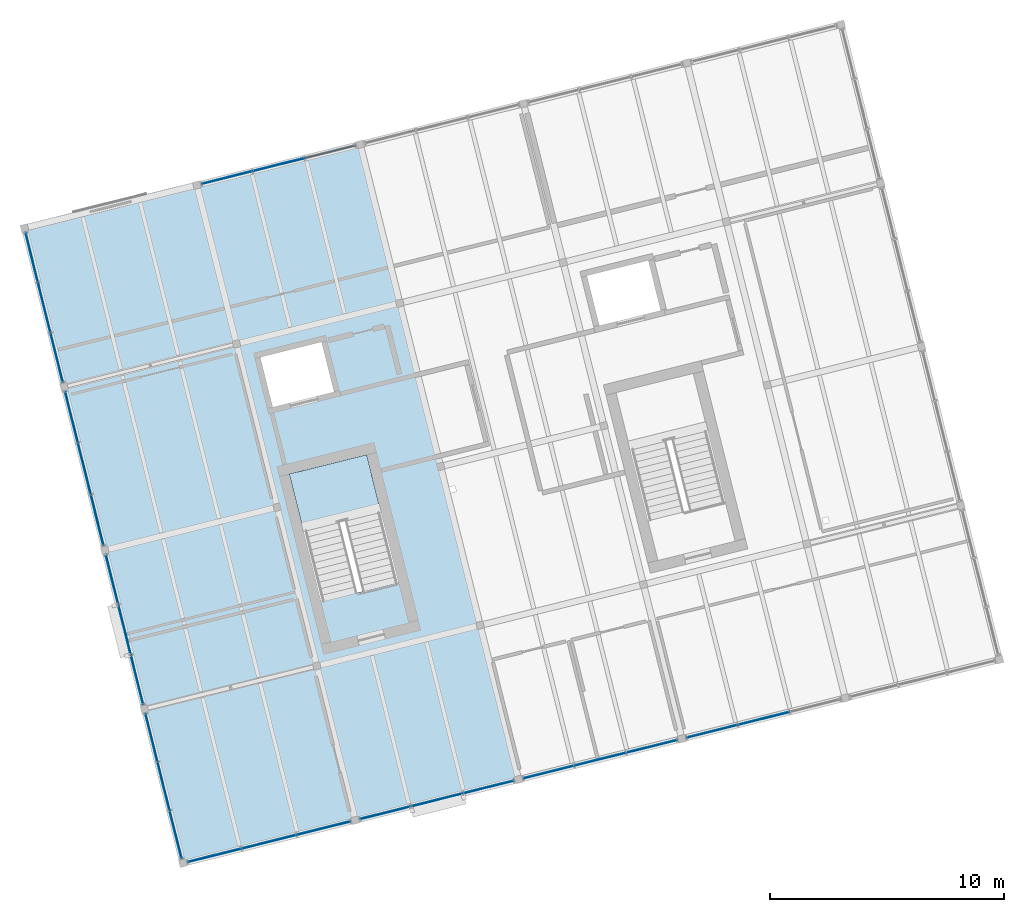
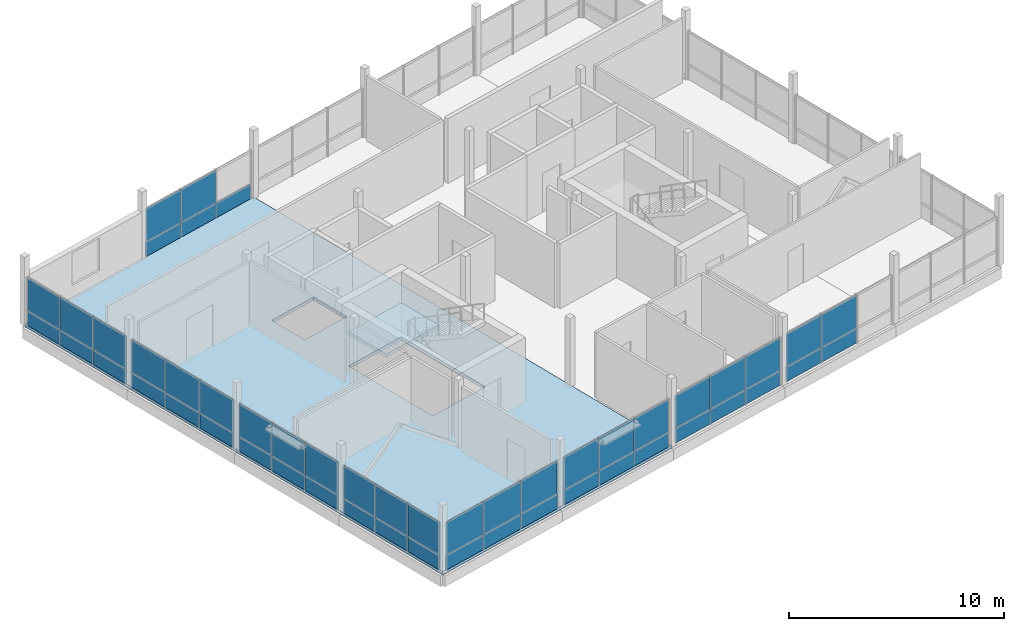
# One storey, part 21 of 25: 51 plates, 2 slabs, 10 elements without a shape of their own.
"""IFC4 building model written with IfcOpenShell, lengths in metres."""

from ifc_helpers import new_model, si_unit, direction, frame, origin, origin_2d, place, context, subcontext, project, spatial, polyline, rectangle, outline, extrude, material, layer, layer_set, type_object, element, aggregate, save


model = new_model("IFC4")

# Units and contexts
model_context = context("Model", 3, precision=1e-05, world=origin(), true_north=direction((0.0, 1.0)))
body_context = subcontext(model_context, "Body", "Model", "MODEL_VIEW")
ifc_project = project(units=[si_unit("LENGTHUNIT", "METRE"), si_unit("AREAUNIT", "SQUARE_METRE"), si_unit("VOLUMEUNIT", "CUBIC_METRE"), si_unit("PLANEANGLEUNIT", "RADIAN"), si_unit("MASSUNIT", "GRAM", prefix="KILO")], contexts=[model_context])

# Site, building, storey
site_placement = place(None, origin())
site = spatial("IfcSite", under=ifc_project, at=site_placement, CompositionType="ELEMENT")
building_placement = place(site_placement, origin())
building = spatial("IfcBuilding", under=site, at=building_placement, Name="Meriwether Solvik Hall", CompositionType="ELEMENT")
storey_placement = place(building_placement, frame((0.0, 0.0, 53.39990234375)))
storey = spatial("IfcBuildingStorey", under=building, at=storey_placement, Name="L13", CompositionType="ELEMENT", Elevation=53.39990234375)

# Curtain wall, plates
ifc_material_1 = material(Name="Thermally Broken Anodised Aluminium 6063-T6 and Low-E Glass", Category="aluminium")
ifc_layer_1 = layer(ifc_material_1, 0.179931640625)
ifc_layer_set_1 = layer_set([ifc_layer_1], Name="Thermally Broken Anodised Aluminium 6063-T6 and Low-E Glass")
curtain_wall_type_1 = type_object("IfcCurtainWallType", Name="CW-UNIT-E", PredefinedType="USERDEFINED", material=ifc_layer_set_1)
curtain_wall_1_placement = place(storey_placement, origin())
curtain_wall_1 = element("IfcCurtainWall", 1, at=curtain_wall_1_placement, inside=storey, type_object=curtain_wall_type_1, Name="Curtain Wall E0_B1 (L13)", ObjectType="UNITISED CURTAIN WALL", PredefinedType="USERDEFINED")
ifc_material_2 = material(Name="Low-Emissivity Double-Glazed Laminated Glass", Category="glass")
ifc_layer_2 = layer(ifc_material_2, 0.031982421875)
ifc_layer_set_2 = layer_set([ifc_layer_2], Name="Low-Emissivity Double-Glazed Laminated Glass")
plate_type_1 = type_object("IfcPlateType", Name="PLT-GLZ-180X185", PredefinedType="CURTAIN_PANEL", material=ifc_layer_set_2)
plate_1_placement = place(storey_placement, frame((81.66796875, 44.458251953125, 0.8310546875), z_axis=(0.0, 0.0, 1.0), x_axis=(-0.970295730764, -0.241921877598, 0.0)))
plate_1 = element("IfcPlate", 2, at=plate_1_placement, type_object=plate_type_1, Name="Low-E Vision Glazing Panel 1", PredefinedType="CURTAIN_PANEL", context=body_context, shape_type="SweptSolid", body=[
    extrude(rectangle(XDim=2.240966796875, YDim=0.033935546875, at=origin_2d()), origin(), (0.0, 0.0, 1.0), 1.87890625),
])
plate_2_placement = place(storey_placement, frame((79.46728515625, 43.909423828125, 0.8310546875), z_axis=(0.0, 0.0, 1.0), x_axis=(-0.970295730764, -0.241921877598, 0.0)))
plate_2 = element("IfcPlate", 3, at=plate_2_placement, type_object=plate_type_1, Name="Low-E Vision Glazing Panel 2", PredefinedType="CURTAIN_PANEL", context=body_context, shape_type="SweptSolid", body=[
    extrude(rectangle(XDim=2.279052734375, YDim=0.033935546875, at=origin_2d()), origin(), (0.0, 0.0, 1.0), 1.87890625),
])
plate_3_placement = place(storey_placement, frame((77.2666015625, 43.36083984375, 0.8310546875), z_axis=(0.0, 0.0, 1.0), x_axis=(-0.970295730764, -0.241921877598, 0.0)))
plate_3 = element("IfcPlate", 4, at=plate_3_placement, type_object=plate_type_1, Name="Low-E Vision Glazing Panel 3", PredefinedType="CURTAIN_PANEL", context=body_context, shape_type="SweptSolid", body=[
    extrude(rectangle(XDim=2.240966796875, YDim=0.033935546875, at=origin_2d()), origin(), (0.0, 0.0, 1.0), 1.87890625),
])

ifc_material_3 = material(Name="Thermally Broken Anodised Aluminium 6063-T6 and Low-E Glass", Category="aluminium")
ifc_layer_3 = layer(ifc_material_3, 0.179931640625)
ifc_layer_set_3 = layer_set([ifc_layer_3], Name="Thermally Broken Anodised Aluminium 6063-T6 and Low-E Glass")
curtain_wall_type_2 = type_object("IfcCurtainWallType", Name="CW-UNIT-G", PredefinedType="USERDEFINED", material=ifc_layer_set_3)
curtain_wall_2_placement = place(storey_placement, origin())
curtain_wall_2 = element("IfcCurtainWall", 5, at=curtain_wall_2_placement, inside=storey, type_object=curtain_wall_type_2, Name="Curtain Wall E2_B1 (L13)", ObjectType="UNITISED CURTAIN WALL", PredefinedType="USERDEFINED")
plate_4_placement = place(storey_placement, frame((70.492919921875, 70.529052734375, 0.8310546875), z_axis=(0.0, 0.0, 1.0), x_axis=(0.970295730764, 0.241921877598, 0.0)))
plate_4 = element("IfcPlate", 6, at=plate_4_placement, type_object=plate_type_1, Name="Low-E Vision Glazing Panel 1", PredefinedType="CURTAIN_PANEL", context=body_context, shape_type="SweptSolid", body=[
    extrude(rectangle(XDim=2.240966796875, YDim=0.033935546875, at=origin_2d()), origin(), (0.0, 0.0, 1.0), 1.87890625),
])
plate_5_placement = place(storey_placement, frame((72.693603515625, 71.077880859375, 0.8310546875), z_axis=(0.0, 0.0, 1.0), x_axis=(0.970295730764, 0.241921877598, 0.0)))
plate_5 = element("IfcPlate", 7, at=plate_5_placement, type_object=plate_type_1, Name="Low-E Vision Glazing Panel 2", PredefinedType="CURTAIN_PANEL", context=body_context, shape_type="SweptSolid", body=[
    extrude(rectangle(XDim=2.279052734375, YDim=0.033935546875, at=origin_2d()), origin(), (0.0, 0.0, 1.0), 1.87890625),
])

ifc_material_4 = material(Name="Thermally Broken Anodised Aluminium 6063-T6 and Low-E Glass", Category="aluminium")
ifc_layer_4 = layer(ifc_material_4, 0.179931640625)
ifc_layer_set_4 = layer_set([ifc_layer_4], Name="Thermally Broken Anodised Aluminium 6063-T6 and Low-E Glass")
curtain_wall_type_3 = type_object("IfcCurtainWallType", Name="CW-UNIT-A", PredefinedType="USERDEFINED", material=ifc_layer_set_4)
curtain_wall_3_placement = place(storey_placement, origin())
curtain_wall_3 = element("IfcCurtainWall", 8, at=curtain_wall_3_placement, inside=storey, type_object=curtain_wall_type_3, Name="Curtain Wall E3_B1 (L13)", ObjectType="UNITISED CURTAIN WALL", PredefinedType="USERDEFINED")
plate_6_placement = place(storey_placement, frame((66.640869140625, 49.05810546875, 0.8310546875), z_axis=(0.0, 0.0, 1.0), x_axis=(-0.241921784185, 0.970295754055, 0.0)))
plate_6 = element("IfcPlate", 9, at=plate_6_placement, type_object=plate_type_1, Name="Low-E Vision Glazing Panel 1", PredefinedType="CURTAIN_PANEL", context=body_context, shape_type="SweptSolid", body=[
    extrude(rectangle(XDim=2.17431640625, YDim=0.033935546875, at=origin_2d()), origin(), (0.0, 0.0, 1.0), 1.87890625),
])
plate_7_placement = place(storey_placement, frame((66.108154296875, 51.194091796875, 0.8310546875), z_axis=(0.0, 0.0, 1.0), x_axis=(-0.241921784185, 0.970295754055, 0.0)))
plate_7 = element("IfcPlate", 10, at=plate_7_placement, type_object=plate_type_1, Name="Low-E Vision Glazing Panel 2", PredefinedType="CURTAIN_PANEL", context=body_context, shape_type="SweptSolid", body=[
    extrude(rectangle(XDim=2.21240234375, YDim=0.033935546875, at=origin_2d()), origin(), (0.0, 0.0, 1.0), 1.87890625),
])
plate_8_placement = place(storey_placement, frame((65.57568359375, 53.330078125, 0.8310546875), z_axis=(0.0, 0.0, 1.0), x_axis=(-0.241921784185, 0.970295754055, 0.0)))
plate_8 = element("IfcPlate", 11, at=plate_8_placement, type_object=plate_type_1, Name="Low-E Vision Glazing Panel 3", PredefinedType="CURTAIN_PANEL", context=body_context, shape_type="SweptSolid", body=[
    extrude(rectangle(XDim=2.17431640625, YDim=0.033935546875, at=origin_2d()), origin(), (0.0, 0.0, 1.0), 1.87890625),
])

ifc_material_5 = material(Name="Thermally Broken Anodised Aluminium 6063-T6 and Low-E Glass", Category="aluminium")
ifc_layer_5 = layer(ifc_material_5, 0.179931640625)
ifc_layer_set_5 = layer_set([ifc_layer_5], Name="Thermally Broken Anodised Aluminium 6063-T6 and Low-E Glass")
curtain_wall_type_4 = type_object("IfcCurtainWallType", Name="CW-UNIT-D", PredefinedType="USERDEFINED", material=ifc_layer_set_5)
curtain_wall_4_placement = place(storey_placement, origin())
curtain_wall_4 = element("IfcCurtainWall", 12, at=curtain_wall_4_placement, inside=storey, type_object=curtain_wall_type_4, Name="Curtain Wall E0_B0 (L13)", ObjectType="UNITISED CURTAIN WALL", PredefinedType="USERDEFINED")
ifc_material_6 = material(Name="Low-Emissivity Double-Glazed Laminated Glass", Category="glass")
ifc_layer_6 = layer(ifc_material_6, 0.031982421875)
ifc_layer_set_6 = layer_set([ifc_layer_6], Name="Low-Emissivity Double-Glazed Laminated Glass")
plate_type_2 = type_object("IfcPlateType", Name="PLT-GLZ-195X185", PredefinedType="CURTAIN_PANEL", material=ifc_layer_set_6)
plate_9_placement = place(storey_placement, frame((74.6171875, 42.7001953125, 0.8310546875), z_axis=(0.0, 0.0, 1.0), x_axis=(-0.970295720361, -0.241921919325, 0.0)))
plate_9 = element("IfcPlate", 13, at=plate_9_placement, type_object=plate_type_2, Name="Low-E Vision Glazing Panel 1", PredefinedType="CURTAIN_PANEL", context=body_context, shape_type="SweptSolid", body=[
    extrude(rectangle(XDim=2.374267578125, YDim=0.033935546875, at=origin_2d()), origin(), (0.0, 0.0, 1.0), 1.87890625),
])
plate_10_placement = place(storey_placement, frame((72.287109375, 42.119384765625, 0.8310546875), z_axis=(0.0, 0.0, 1.0), x_axis=(-0.970295720361, -0.241921919325, 0.0)))
plate_10 = element("IfcPlate", 14, at=plate_10_placement, type_object=plate_type_2, Name="Low-E Vision Glazing Panel 2", PredefinedType="CURTAIN_PANEL", context=body_context, shape_type="SweptSolid", body=[
    extrude(rectangle(XDim=2.412353515625, YDim=0.033935546875, at=origin_2d()), origin(), (0.0, 0.0, 1.0), 1.87890625),
])
plate_11_placement = place(storey_placement, frame((69.95703125, 41.538330078125, 0.8310546875), z_axis=(0.0, 0.0, 1.0), x_axis=(-0.970295720361, -0.241921919325, 0.0)))
plate_11 = element("IfcPlate", 15, at=plate_11_placement, type_object=plate_type_2, Name="Low-E Vision Glazing Panel 3", PredefinedType="CURTAIN_PANEL", context=body_context, shape_type="SweptSolid", body=[
    extrude(rectangle(XDim=2.374267578125, YDim=0.033935546875, at=origin_2d()), origin(), (0.0, 0.0, 1.0), 1.87890625),
])

curtain_wall_5_placement = place(storey_placement, origin())
curtain_wall_5 = element("IfcCurtainWall", 16, at=curtain_wall_5_placement, inside=storey, type_object=curtain_wall_type_2, Name="Curtain Wall E3_B0 (L13)", ObjectType="UNITISED CURTAIN WALL", PredefinedType="USERDEFINED")
plate_12_placement = place(storey_placement, frame((68.2939453125, 42.427734375, 0.8310546875), z_axis=(0.0, 0.0, 1.0), x_axis=(-0.241921830705, 0.970295742456, 0.0)))
plate_12 = element("IfcPlate", 17, at=plate_12_placement, type_object=plate_type_2, Name="Low-E Vision Glazing Panel 1", PredefinedType="CURTAIN_PANEL", context=body_context, shape_type="SweptSolid", body=[
    extrude(rectangle(XDim=2.107666015625, YDim=0.033935546875, at=origin_2d()), origin(), (0.0, 0.0, 1.0), 1.87890625),
])
plate_13_placement = place(storey_placement, frame((67.777587890625, 44.4990234375, 0.8310546875), z_axis=(0.0, 0.0, 1.0), x_axis=(-0.241921830705, 0.970295742456, 0.0)))
plate_13 = element("IfcPlate", 18, at=plate_13_placement, type_object=plate_type_2, Name="Low-E Vision Glazing Panel 2", PredefinedType="CURTAIN_PANEL", context=body_context, shape_type="SweptSolid", body=[
    extrude(rectangle(XDim=2.145751953125, YDim=0.033935546875, at=origin_2d()), origin(), (0.0, 0.0, 1.0), 1.87890625),
])
plate_14_placement = place(storey_placement, frame((67.260986328125, 46.5703125, 0.8310546875), z_axis=(0.0, 0.0, 1.0), x_axis=(-0.241921830705, 0.970295742456, 0.0)))
plate_14 = element("IfcPlate", 19, at=plate_14_placement, type_object=plate_type_2, Name="Low-E Vision Glazing Panel 3", PredefinedType="CURTAIN_PANEL", context=body_context, shape_type="SweptSolid", body=[
    extrude(rectangle(XDim=2.107666015625, YDim=0.033935546875, at=origin_2d()), origin(), (0.0, 0.0, 1.0), 1.87890625),
])

curtain_wall_6_placement = place(storey_placement, origin())
curtain_wall_6 = element("IfcCurtainWall", 20, at=curtain_wall_6_placement, inside=storey, type_object=curtain_wall_type_2, Name="Curtain Wall E0_B3 (L13)", ObjectType="UNITISED CURTAIN WALL", PredefinedType="USERDEFINED")
ifc_material_7 = material(Name="Low-Emissivity Double-Glazed Laminated Glass", Category="glass")
ifc_layer_7 = layer(ifc_material_7, 0.031982421875)
ifc_layer_set_7 = layer_set([ifc_layer_7], Name="Low-Emissivity Double-Glazed Laminated Glass")
plate_type_3 = type_object("IfcPlateType", Name="PLT-GLZ-210X195", PredefinedType="CURTAIN_PANEL", material=ifc_layer_set_7)
plate_15_placement = place(storey_placement, frame((93.439453125, 47.393310546875, 0.8310546875), z_axis=(0.0, 0.0, 1.0), x_axis=(-0.970295696551, -0.241922014821, 0.0)))
plate_15 = element("IfcPlate", 21, at=plate_15_placement, type_object=plate_type_3, Name="Low-E Vision Glazing Panel 2", PredefinedType="CURTAIN_PANEL", context=body_context, shape_type="SweptSolid", body=[
    extrude(rectangle(XDim=2.279052734375, YDim=0.033935546875, at=origin_2d()), origin(), (0.0, 0.0, 1.0), 1.87890625),
])
plate_16_placement = place(storey_placement, frame((91.239013671875, 46.844482421875, 0.8310546875), z_axis=(0.0, 0.0, 1.0), x_axis=(-0.970295696551, -0.241922014821, 0.0)))
plate_16 = element("IfcPlate", 22, at=plate_16_placement, type_object=plate_type_3, Name="Low-E Vision Glazing Panel 3", PredefinedType="CURTAIN_PANEL", context=body_context, shape_type="SweptSolid", body=[
    extrude(rectangle(XDim=2.240966796875, YDim=0.033935546875, at=origin_2d()), origin(), (0.0, 0.0, 1.0), 1.87890625),
])

ifc_material_8 = material(Name="Thermally Broken Anodised Aluminium 6063-T6 and Low-E Glass", Category="aluminium")
ifc_layer_8 = layer(ifc_material_8, 0.179931640625)
ifc_layer_set_8 = layer_set([ifc_layer_8], Name="Thermally Broken Anodised Aluminium 6063-T6 and Low-E Glass")
curtain_wall_type_5 = type_object("IfcCurtainWallType", Name="CW-UNIT-C", PredefinedType="USERDEFINED", material=ifc_layer_set_8)
curtain_wall_7_placement = place(storey_placement, origin())
curtain_wall_7 = element("IfcCurtainWall", 23, at=curtain_wall_7_placement, inside=storey, type_object=curtain_wall_type_5, Name="Curtain Wall E3_B3 (L13)", ObjectType="UNITISED CURTAIN WALL", PredefinedType="USERDEFINED")
plate_17_placement = place(storey_placement, frame((63.20556640625, 62.836181640625, 0.8310546875), z_axis=(0.0, 0.0, 1.0), x_axis=(-0.241921784185, 0.970295754055, 0.0)))
plate_17 = element("IfcPlate", 24, at=plate_17_placement, type_object=plate_type_3, Name="Low-E Vision Glazing Panel 1", PredefinedType="CURTAIN_PANEL", context=body_context, shape_type="SweptSolid", body=[
    extrude(rectangle(XDim=2.17431640625, YDim=0.033935546875, at=origin_2d()), origin(), (0.0, 0.0, 1.0), 1.87890625),
])
plate_18_placement = place(storey_placement, frame((62.6728515625, 64.97216796875, 0.8310546875), z_axis=(0.0, 0.0, 1.0), x_axis=(-0.241921784185, 0.970295754055, 0.0)))
plate_18 = element("IfcPlate", 25, at=plate_18_placement, type_object=plate_type_3, Name="Low-E Vision Glazing Panel 2", PredefinedType="CURTAIN_PANEL", context=body_context, shape_type="SweptSolid", body=[
    extrude(rectangle(XDim=2.21240234375, YDim=0.033935546875, at=origin_2d()), origin(), (0.0, 0.0, 1.0), 1.87890625),
])
plate_19_placement = place(storey_placement, frame((62.140380859375, 67.108154296875, 0.8310546875), z_axis=(0.0, 0.0, 1.0), x_axis=(-0.241921784185, 0.970295754055, 0.0)))
plate_19 = element("IfcPlate", 26, at=plate_19_placement, type_object=plate_type_3, Name="Low-E Vision Glazing Panel 3", PredefinedType="CURTAIN_PANEL", context=body_context, shape_type="SweptSolid", body=[
    extrude(rectangle(XDim=2.17431640625, YDim=0.033935546875, at=origin_2d()), origin(), (0.0, 0.0, 1.0), 1.87890625),
])

ifc_material_9 = material(Name="Thermally Broken Anodised Aluminium 6063-T6 and Low-E Glass", Category="aluminium")
ifc_layer_9 = layer(ifc_material_9, 0.179931640625)
ifc_layer_set_9 = layer_set([ifc_layer_9], Name="Thermally Broken Anodised Aluminium 6063-T6 and Low-E Glass")
curtain_wall_type_6 = type_object("IfcCurtainWallType", Name="CW-UNIT-F", PredefinedType="USERDEFINED", material=ifc_layer_set_9)
curtain_wall_8_placement = place(storey_placement, origin())
curtain_wall_8 = element("IfcCurtainWall", 27, at=curtain_wall_8_placement, inside=storey, type_object=curtain_wall_type_6, Name="Curtain Wall E0_B2 (L13)", ObjectType="UNITISED CURTAIN WALL", PredefinedType="USERDEFINED")
ifc_material_10 = material(Name="Low-Emissivity Double-Glazed Laminated Glass", Category="glass")
ifc_layer_10 = layer(ifc_material_10, 0.031982421875)
ifc_layer_set_10 = layer_set([ifc_layer_10], Name="Low-Emissivity Double-Glazed Laminated Glass")
plate_type_4 = type_object("IfcPlateType", Name="PLT-GLZ-225X195", PredefinedType="CURTAIN_PANEL", material=ifc_layer_set_10)
plate_20_placement = place(storey_placement, frame((88.654052734375, 46.199951171875, 0.8310546875), z_axis=(0.0, 0.0, 1.0), x_axis=(-0.970295730764, -0.241921877598, 0.0)))
plate_20 = element("IfcPlate", 28, at=plate_20_placement, type_object=plate_type_4, Name="Low-E Vision Glazing Panel 1", PredefinedType="CURTAIN_PANEL", context=body_context, shape_type="SweptSolid", body=[
    extrude(rectangle(XDim=2.240966796875, YDim=0.033935546875, at=origin_2d()), origin(), (0.0, 0.0, 1.0), 1.87890625),
])
plate_21_placement = place(storey_placement, frame((86.453369140625, 45.6513671875, 0.8310546875), z_axis=(0.0, 0.0, 1.0), x_axis=(-0.970295730764, -0.241921877598, 0.0)))
plate_21 = element("IfcPlate", 29, at=plate_21_placement, type_object=plate_type_4, Name="Low-E Vision Glazing Panel 2", PredefinedType="CURTAIN_PANEL", context=body_context, shape_type="SweptSolid", body=[
    extrude(rectangle(XDim=2.279052734375, YDim=0.033935546875, at=origin_2d()), origin(), (0.0, 0.0, 1.0), 1.87890625),
])
plate_22_placement = place(storey_placement, frame((84.2529296875, 45.102783203125, 0.8310546875), z_axis=(0.0, 0.0, 1.0), x_axis=(-0.970295730764, -0.241921877598, 0.0)))
plate_22 = element("IfcPlate", 30, at=plate_22_placement, type_object=plate_type_4, Name="Low-E Vision Glazing Panel 3", PredefinedType="CURTAIN_PANEL", context=body_context, shape_type="SweptSolid", body=[
    extrude(rectangle(XDim=2.240966796875, YDim=0.033935546875, at=origin_2d()), origin(), (0.0, 0.0, 1.0), 1.87890625),
])

ifc_material_11 = material(Name="Thermally Broken Anodised Aluminium 6063-T6 and Low-E Glass", Category="aluminium")
ifc_layer_11 = layer(ifc_material_11, 0.179931640625)
ifc_layer_set_11 = layer_set([ifc_layer_11], Name="Thermally Broken Anodised Aluminium 6063-T6 and Low-E Glass")
curtain_wall_type_7 = type_object("IfcCurtainWallType", Name="CW-UNIT-B", PredefinedType="USERDEFINED", material=ifc_layer_set_11)
curtain_wall_9_placement = place(storey_placement, origin())
curtain_wall_9 = element("IfcCurtainWall", 31, at=curtain_wall_9_placement, inside=storey, type_object=curtain_wall_type_7, Name="Curtain Wall E3_B2 (L13)", ObjectType="UNITISED CURTAIN WALL", PredefinedType="USERDEFINED")
plate_23_placement = place(storey_placement, frame((64.939208984375, 55.882568359375, 0.8310546875), z_axis=(0.0, 0.0, 1.0), x_axis=(-0.241921877598, 0.970295730764, 0.0)))
plate_23 = element("IfcPlate", 32, at=plate_23_placement, type_object=plate_type_4, Name="Low-E Vision Glazing Panel 1", PredefinedType="CURTAIN_PANEL", context=body_context, shape_type="SweptSolid", body=[
    extrude(rectangle(XDim=2.240966796875, YDim=0.033935546875, at=origin_2d()), origin(), (0.0, 0.0, 1.0), 1.87890625),
])
plate_24_placement = place(storey_placement, frame((64.390625, 58.083251953125, 0.8310546875), z_axis=(0.0, 0.0, 1.0), x_axis=(-0.241921877598, 0.970295730764, 0.0)))
plate_24 = element("IfcPlate", 33, at=plate_24_placement, type_object=plate_type_4, Name="Low-E Vision Glazing Panel 2", PredefinedType="CURTAIN_PANEL", context=body_context, shape_type="SweptSolid", body=[
    extrude(rectangle(XDim=2.279052734375, YDim=0.033935546875, at=origin_2d()), origin(), (0.0, 0.0, 1.0), 1.87890625),
])
plate_25_placement = place(storey_placement, frame((63.841796875, 60.28369140625, 0.8310546875), z_axis=(0.0, 0.0, 1.0), x_axis=(-0.241921877598, 0.970295730764, 0.0)))
plate_25 = element("IfcPlate", 34, at=plate_25_placement, type_object=plate_type_4, Name="Low-E Vision Glazing Panel 3", PredefinedType="CURTAIN_PANEL", context=body_context, shape_type="SweptSolid", body=[
    extrude(rectangle(XDim=2.240966796875, YDim=0.033935546875, at=origin_2d()), origin(), (0.0, 0.0, 1.0), 1.87890625),
])

# Plate
ifc_material_12 = material(Name="Mineral-Wool Insulated Anodised Aluminium 6063-T6", Category="aluminium")
ifc_layer_12 = layer(ifc_material_12, 0.044921875)
ifc_layer_set_12 = layer_set([ifc_layer_12], Name="Mineral-Wool Insulated Anodised Aluminium 6063-T6")
plate_type_5 = type_object("IfcPlateType", Name="PLT-SPN-200X085", PredefinedType="CURTAIN_PANEL", material=ifc_layer_set_12)
plate_26_placement = place(storey_placement, frame((74.6171875, 42.7001953125, 0.0), z_axis=(0.0, 0.0, 1.0), x_axis=(-0.970295720361, -0.241921919325, 0.0)))
plate_26 = element("IfcPlate", 35, at=plate_26_placement, type_object=plate_type_5, Name="Insulated Spandrel Panel 1", PredefinedType="CURTAIN_PANEL", context=body_context, shape_type="SweptSolid", body=[
    extrude(rectangle(XDim=2.374267578125, YDim=0.044921875, at=origin_2d()), origin(), (0.0, 0.0, 1.0), 0.8310546875),
])

plate_27_placement = place(storey_placement, frame((72.287109375, 42.119384765625, 0.0), z_axis=(0.0, 0.0, 1.0), x_axis=(-0.970295720361, -0.241921919325, 0.0)))
plate_27 = element("IfcPlate", 36, at=plate_27_placement, type_object=plate_type_5, Name="Insulated Spandrel Panel 2", PredefinedType="CURTAIN_PANEL", context=body_context, shape_type="SweptSolid", body=[
    extrude(rectangle(XDim=2.412353515625, YDim=0.044921875, at=origin_2d()), origin(), (0.0, 0.0, 1.0), 0.8310546875),
])

plate_28_placement = place(storey_placement, frame((69.95703125, 41.538330078125, 0.0), z_axis=(0.0, 0.0, 1.0), x_axis=(-0.970295720361, -0.241921919325, 0.0)))
plate_28 = element("IfcPlate", 37, at=plate_28_placement, type_object=plate_type_5, Name="Insulated Spandrel Panel 3", PredefinedType="CURTAIN_PANEL", context=body_context, shape_type="SweptSolid", body=[
    extrude(rectangle(XDim=2.374267578125, YDim=0.044921875, at=origin_2d()), origin(), (0.0, 0.0, 1.0), 0.8310546875),
])

aggregate(curtain_wall_4, [plate_26, plate_9, plate_27, plate_10, plate_28, plate_11])

plate_29_placement = place(storey_placement, frame((81.66796875, 44.458251953125, 0.0), z_axis=(0.0, 0.0, 1.0), x_axis=(-0.970295730764, -0.241921877598, 0.0)))
plate_29 = element("IfcPlate", 38, at=plate_29_placement, type_object=plate_type_5, Name="Insulated Spandrel Panel 1", PredefinedType="CURTAIN_PANEL", context=body_context, shape_type="SweptSolid", body=[
    extrude(rectangle(XDim=2.240966796875, YDim=0.044921875, at=origin_2d()), origin(), (0.0, 0.0, 1.0), 0.8310546875),
])

plate_30_placement = place(storey_placement, frame((79.46728515625, 43.909423828125, 0.0), z_axis=(0.0, 0.0, 1.0), x_axis=(-0.970295730764, -0.241921877598, 0.0)))
plate_30 = element("IfcPlate", 39, at=plate_30_placement, type_object=plate_type_5, Name="Insulated Spandrel Panel 2", PredefinedType="CURTAIN_PANEL", context=body_context, shape_type="SweptSolid", body=[
    extrude(rectangle(XDim=2.279052734375, YDim=0.044921875, at=origin_2d()), origin(), (0.0, 0.0, 1.0), 0.8310546875),
])

plate_31_placement = place(storey_placement, frame((77.2666015625, 43.36083984375, 0.0), z_axis=(0.0, 0.0, 1.0), x_axis=(-0.970295730764, -0.241921877598, 0.0)))
plate_31 = element("IfcPlate", 40, at=plate_31_placement, type_object=plate_type_5, Name="Insulated Spandrel Panel 3", PredefinedType="CURTAIN_PANEL", context=body_context, shape_type="SweptSolid", body=[
    extrude(rectangle(XDim=2.240966796875, YDim=0.044921875, at=origin_2d()), origin(), (0.0, 0.0, 1.0), 0.8310546875),
])

aggregate(curtain_wall_1, [plate_29, plate_1, plate_30, plate_2, plate_31, plate_3])

plate_32_placement = place(storey_placement, frame((88.654052734375, 46.199951171875, 0.0), z_axis=(0.0, 0.0, 1.0), x_axis=(-0.970295730764, -0.241921877598, 0.0)))
plate_32 = element("IfcPlate", 41, at=plate_32_placement, type_object=plate_type_5, Name="Insulated Spandrel Panel 1", PredefinedType="CURTAIN_PANEL", context=body_context, shape_type="SweptSolid", body=[
    extrude(rectangle(XDim=2.240966796875, YDim=0.044921875, at=origin_2d()), origin(), (0.0, 0.0, 1.0), 0.8310546875),
])

plate_33_placement = place(storey_placement, frame((86.453369140625, 45.6513671875, 0.0), z_axis=(0.0, 0.0, 1.0), x_axis=(-0.970295730764, -0.241921877598, 0.0)))
plate_33 = element("IfcPlate", 42, at=plate_33_placement, type_object=plate_type_5, Name="Insulated Spandrel Panel 2", PredefinedType="CURTAIN_PANEL", context=body_context, shape_type="SweptSolid", body=[
    extrude(rectangle(XDim=2.279052734375, YDim=0.044921875, at=origin_2d()), origin(), (0.0, 0.0, 1.0), 0.8310546875),
])

plate_34_placement = place(storey_placement, frame((84.2529296875, 45.102783203125, 0.0), z_axis=(0.0, 0.0, 1.0), x_axis=(-0.970295730764, -0.241921877598, 0.0)))
plate_34 = element("IfcPlate", 43, at=plate_34_placement, type_object=plate_type_5, Name="Insulated Spandrel Panel 3", PredefinedType="CURTAIN_PANEL", context=body_context, shape_type="SweptSolid", body=[
    extrude(rectangle(XDim=2.240966796875, YDim=0.044921875, at=origin_2d()), origin(), (0.0, 0.0, 1.0), 0.8310546875),
])

aggregate(curtain_wall_8, [plate_32, plate_20, plate_33, plate_21, plate_34, plate_22])

plate_35_placement = place(storey_placement, frame((93.439453125, 47.393310546875, 0.0), z_axis=(0.0, 0.0, 1.0), x_axis=(-0.970295696551, -0.241922014821, 0.0)))
plate_35 = element("IfcPlate", 44, at=plate_35_placement, type_object=plate_type_5, Name="Insulated Spandrel Panel 2", PredefinedType="CURTAIN_PANEL", context=body_context, shape_type="SweptSolid", body=[
    extrude(rectangle(XDim=2.279052734375, YDim=0.044921875, at=origin_2d()), origin(), (0.0, 0.0, 1.0), 0.8310546875),
])

plate_36_placement = place(storey_placement, frame((91.239013671875, 46.844482421875, 0.0), z_axis=(0.0, 0.0, 1.0), x_axis=(-0.970295696551, -0.241922014821, 0.0)))
plate_36 = element("IfcPlate", 45, at=plate_36_placement, type_object=plate_type_5, Name="Insulated Spandrel Panel 3", PredefinedType="CURTAIN_PANEL", context=body_context, shape_type="SweptSolid", body=[
    extrude(rectangle(XDim=2.240966796875, YDim=0.044921875, at=origin_2d()), origin(), (0.0, 0.0, 1.0), 0.8310546875),
])

aggregate(curtain_wall_6, [plate_35, plate_15, plate_36, plate_16])

plate_37_placement = place(storey_placement, frame((70.492919921875, 70.529052734375, 0.0), z_axis=(0.0, 0.0, 1.0), x_axis=(0.970295730764, 0.241921877598, 0.0)))
plate_37 = element("IfcPlate", 46, at=plate_37_placement, type_object=plate_type_5, Name="Insulated Spandrel Panel 1", PredefinedType="CURTAIN_PANEL", context=body_context, shape_type="SweptSolid", body=[
    extrude(rectangle(XDim=2.240966796875, YDim=0.044921875, at=origin_2d()), origin(), (0.0, 0.0, 1.0), 0.8310546875),
])

plate_38_placement = place(storey_placement, frame((72.693603515625, 71.077880859375, 0.0), z_axis=(0.0, 0.0, 1.0), x_axis=(0.970295730764, 0.241921877598, 0.0)))
plate_38 = element("IfcPlate", 47, at=plate_38_placement, type_object=plate_type_5, Name="Insulated Spandrel Panel 2", PredefinedType="CURTAIN_PANEL", context=body_context, shape_type="SweptSolid", body=[
    extrude(rectangle(XDim=2.279052734375, YDim=0.044921875, at=origin_2d()), origin(), (0.0, 0.0, 1.0), 0.8310546875),
])

plate_39_placement = place(storey_placement, frame((74.89404296875, 71.62646484375, 0.0), z_axis=(0.0, 0.0, 1.0), x_axis=(0.970295730764, 0.241921877598, 0.0)))
plate_39 = element("IfcPlate", 48, at=plate_39_placement, type_object=plate_type_5, Name="Insulated Spandrel Panel 3", PredefinedType="CURTAIN_PANEL", context=body_context, shape_type="SweptSolid", body=[
    extrude(rectangle(XDim=2.240966796875, YDim=0.044921875, at=origin_2d()), origin(), (0.0, 0.0, 1.0), 0.8310546875),
])

aggregate(curtain_wall_2, [plate_37, plate_4, plate_38, plate_5, plate_39])

plate_40_placement = place(storey_placement, frame((68.2939453125, 42.427734375, 0.0), z_axis=(0.0, 0.0, 1.0), x_axis=(-0.241921830705, 0.970295742456, 0.0)))
plate_40 = element("IfcPlate", 49, at=plate_40_placement, type_object=plate_type_5, Name="Insulated Spandrel Panel 1", PredefinedType="CURTAIN_PANEL", context=body_context, shape_type="SweptSolid", body=[
    extrude(rectangle(XDim=2.107666015625, YDim=0.044921875, at=origin_2d()), origin(), (0.0, 0.0, 1.0), 0.8310546875),
])

plate_41_placement = place(storey_placement, frame((67.777587890625, 44.4990234375, 0.0), z_axis=(0.0, 0.0, 1.0), x_axis=(-0.241921830705, 0.970295742456, 0.0)))
plate_41 = element("IfcPlate", 50, at=plate_41_placement, type_object=plate_type_5, Name="Insulated Spandrel Panel 2", PredefinedType="CURTAIN_PANEL", context=body_context, shape_type="SweptSolid", body=[
    extrude(rectangle(XDim=2.145751953125, YDim=0.044921875, at=origin_2d()), origin(), (0.0, 0.0, 1.0), 0.8310546875),
])

plate_42_placement = place(storey_placement, frame((67.260986328125, 46.5703125, 0.0), z_axis=(0.0, 0.0, 1.0), x_axis=(-0.241921830705, 0.970295742456, 0.0)))
plate_42 = element("IfcPlate", 51, at=plate_42_placement, type_object=plate_type_5, Name="Insulated Spandrel Panel 3", PredefinedType="CURTAIN_PANEL", context=body_context, shape_type="SweptSolid", body=[
    extrude(rectangle(XDim=2.107666015625, YDim=0.044921875, at=origin_2d()), origin(), (0.0, 0.0, 1.0), 0.8310546875),
])

aggregate(curtain_wall_5, [plate_40, plate_12, plate_41, plate_13, plate_42, plate_14])

plate_43_placement = place(storey_placement, frame((66.640869140625, 49.05810546875, 0.0), z_axis=(0.0, 0.0, 1.0), x_axis=(-0.241921784185, 0.970295754055, 0.0)))
plate_43 = element("IfcPlate", 52, at=plate_43_placement, type_object=plate_type_5, Name="Insulated Spandrel Panel 1", PredefinedType="CURTAIN_PANEL", context=body_context, shape_type="SweptSolid", body=[
    extrude(rectangle(XDim=2.17431640625, YDim=0.044921875, at=origin_2d()), origin(), (0.0, 0.0, 1.0), 0.8310546875),
])

plate_44_placement = place(storey_placement, frame((66.108154296875, 51.194091796875, 0.0), z_axis=(0.0, 0.0, 1.0), x_axis=(-0.241921784185, 0.970295754055, 0.0)))
plate_44 = element("IfcPlate", 53, at=plate_44_placement, type_object=plate_type_5, Name="Insulated Spandrel Panel 2", PredefinedType="CURTAIN_PANEL", context=body_context, shape_type="SweptSolid", body=[
    extrude(rectangle(XDim=2.21240234375, YDim=0.044921875, at=origin_2d()), origin(), (0.0, 0.0, 1.0), 0.8310546875),
])

plate_45_placement = place(storey_placement, frame((65.57568359375, 53.330078125, 0.0), z_axis=(0.0, 0.0, 1.0), x_axis=(-0.241921784185, 0.970295754055, 0.0)))
plate_45 = element("IfcPlate", 54, at=plate_45_placement, type_object=plate_type_5, Name="Insulated Spandrel Panel 3", PredefinedType="CURTAIN_PANEL", context=body_context, shape_type="SweptSolid", body=[
    extrude(rectangle(XDim=2.17431640625, YDim=0.044921875, at=origin_2d()), origin(), (0.0, 0.0, 1.0), 0.8310546875),
])

aggregate(curtain_wall_3, [plate_43, plate_6, plate_44, plate_7, plate_45, plate_8])

plate_46_placement = place(storey_placement, frame((64.939208984375, 55.882568359375, 0.0), z_axis=(0.0, 0.0, 1.0), x_axis=(-0.241921877598, 0.970295730764, 0.0)))
plate_46 = element("IfcPlate", 55, at=plate_46_placement, type_object=plate_type_5, Name="Insulated Spandrel Panel 1", PredefinedType="CURTAIN_PANEL", context=body_context, shape_type="SweptSolid", body=[
    extrude(rectangle(XDim=2.240966796875, YDim=0.044921875, at=origin_2d()), origin(), (0.0, 0.0, 1.0), 0.8310546875),
])

plate_47_placement = place(storey_placement, frame((64.390625, 58.083251953125, 0.0), z_axis=(0.0, 0.0, 1.0), x_axis=(-0.241921877598, 0.970295730764, 0.0)))
plate_47 = element("IfcPlate", 56, at=plate_47_placement, type_object=plate_type_5, Name="Insulated Spandrel Panel 2", PredefinedType="CURTAIN_PANEL", context=body_context, shape_type="SweptSolid", body=[
    extrude(rectangle(XDim=2.279052734375, YDim=0.044921875, at=origin_2d()), origin(), (0.0, 0.0, 1.0), 0.8310546875),
])

plate_48_placement = place(storey_placement, frame((63.841796875, 60.28369140625, 0.0), z_axis=(0.0, 0.0, 1.0), x_axis=(-0.241921877598, 0.970295730764, 0.0)))
plate_48 = element("IfcPlate", 57, at=plate_48_placement, type_object=plate_type_5, Name="Insulated Spandrel Panel 3", PredefinedType="CURTAIN_PANEL", context=body_context, shape_type="SweptSolid", body=[
    extrude(rectangle(XDim=2.240966796875, YDim=0.044921875, at=origin_2d()), origin(), (0.0, 0.0, 1.0), 0.8310546875),
])

aggregate(curtain_wall_9, [plate_46, plate_23, plate_47, plate_24, plate_48, plate_25])

plate_49_placement = place(storey_placement, frame((63.20556640625, 62.836181640625, 0.0), z_axis=(0.0, 0.0, 1.0), x_axis=(-0.241921784185, 0.970295754055, 0.0)))
plate_49 = element("IfcPlate", 58, at=plate_49_placement, type_object=plate_type_5, Name="Insulated Spandrel Panel 1", PredefinedType="CURTAIN_PANEL", context=body_context, shape_type="SweptSolid", body=[
    extrude(rectangle(XDim=2.17431640625, YDim=0.044921875, at=origin_2d()), origin(), (0.0, 0.0, 1.0), 0.8310546875),
])

plate_50_placement = place(storey_placement, frame((62.6728515625, 64.97216796875, 0.0), z_axis=(0.0, 0.0, 1.0), x_axis=(-0.241921784185, 0.970295754055, 0.0)))
plate_50 = element("IfcPlate", 59, at=plate_50_placement, type_object=plate_type_5, Name="Insulated Spandrel Panel 2", PredefinedType="CURTAIN_PANEL", context=body_context, shape_type="SweptSolid", body=[
    extrude(rectangle(XDim=2.21240234375, YDim=0.044921875, at=origin_2d()), origin(), (0.0, 0.0, 1.0), 0.8310546875),
])

plate_51_placement = place(storey_placement, frame((62.140380859375, 67.108154296875, 0.0), z_axis=(0.0, 0.0, 1.0), x_axis=(-0.241921784185, 0.970295754055, 0.0)))
plate_51 = element("IfcPlate", 60, at=plate_51_placement, type_object=plate_type_5, Name="Insulated Spandrel Panel 3", PredefinedType="CURTAIN_PANEL", context=body_context, shape_type="SweptSolid", body=[
    extrude(rectangle(XDim=2.17431640625, YDim=0.044921875, at=origin_2d()), origin(), (0.0, 0.0, 1.0), 0.8310546875),
])

aggregate(curtain_wall_7, [plate_49, plate_17, plate_50, plate_18, plate_51, plate_19])

# Slab
ifc_material_13 = material(Name="Cross-Laminated Timber PRG 320 E1", Category="wood")
ifc_layer_13 = layer(ifc_material_13, 0.179931640625)
ifc_layer_set_13 = layer_set([ifc_layer_13], Name="Cross-Laminated Timber PRG 320 E1")
slab_type_1 = type_object("IfcSlabType", Name="SLB-CLT-180", PredefinedType="FLOOR", material=ifc_layer_set_13)
slab_1_placement = place(storey_placement, frame((0.0, 0.0, -0.179931640625)))
element("IfcSlab", 61, at=slab_1_placement, inside=storey, type_object=slab_type_1, Name="L13 Mass-Timber CLT Floor W", PredefinedType="FLOOR", context=body_context, shape_type="SweptSolid", body=[
    extrude(outline(polyline([(76.18359375, 71.947998046875), (82.95751953125, 44.77978515625), (68.60009765625, 41.199951171875), (61.826171875, 68.3681640625), (76.18359375, 71.947998046875)]), holes=[polyline([(74.5205078125, 52.382568359375), (77.819580078125, 53.205078125), (76.45703125, 58.669677734375), (73.157958984375, 57.84716796875), (74.5205078125, 52.382568359375)]), polyline([(71.912109375, 62.84423828125), (72.4443359375, 60.70947265625), (75.064208984375, 61.36279296875), (74.531982421875, 63.497314453125), (71.912109375, 62.84423828125)])]), origin(), (0.0, 0.0, 1.0), 0.179931640625),
])

# Stair, slab
ifc_material_14 = material(Name="Concrete C40/50", Category="concrete")
stair_type = type_object("IfcStairType", Name="STR-CORE-DOGLEG-A", PredefinedType="TWO_STRAIGHT_RUN_STAIR", material=ifc_material_14)
stair_placement = place(storey_placement, origin())
stair = element("IfcStair", 62, at=stair_placement, inside=storey, type_object=stair_type, Name="Exit Stair ST-01 (L13)", PredefinedType="TWO_STRAIGHT_RUN_STAIR")
ifc_material_15 = material(Name="Concrete C40/50", Category="concrete")
ifc_layer_14 = layer(ifc_material_15, 0.199951171875)
ifc_layer_set_14 = layer_set([ifc_layer_14], Name="Concrete C40/50")
slab_type_2 = type_object("IfcSlabType", Name="SLB-LND-200", PredefinedType="LANDING", material=ifc_layer_set_14)
slab_2_placement = place(storey_placement, frame((0.0, 0.0, 1.75)))
slab_2 = element("IfcSlab", 63, at=slab_2_placement, type_object=slab_type_2, Name="Stair ST-01 Half Landing (L13)", PredefinedType="LANDING", context=body_context, shape_type="SweptSolid", body=[
    extrude(outline(polyline([(73.76611328125, 55.38818359375), (77.07470703125, 56.213134765625), (76.460693359375, 58.67578125), (73.152099609375, 57.850830078125), (73.76611328125, 55.38818359375)])), origin(), (0.0, 0.0, 1.0), 0.2001953125),
])
aggregate(stair, [slab_2])

save(model, "model.ifc")
